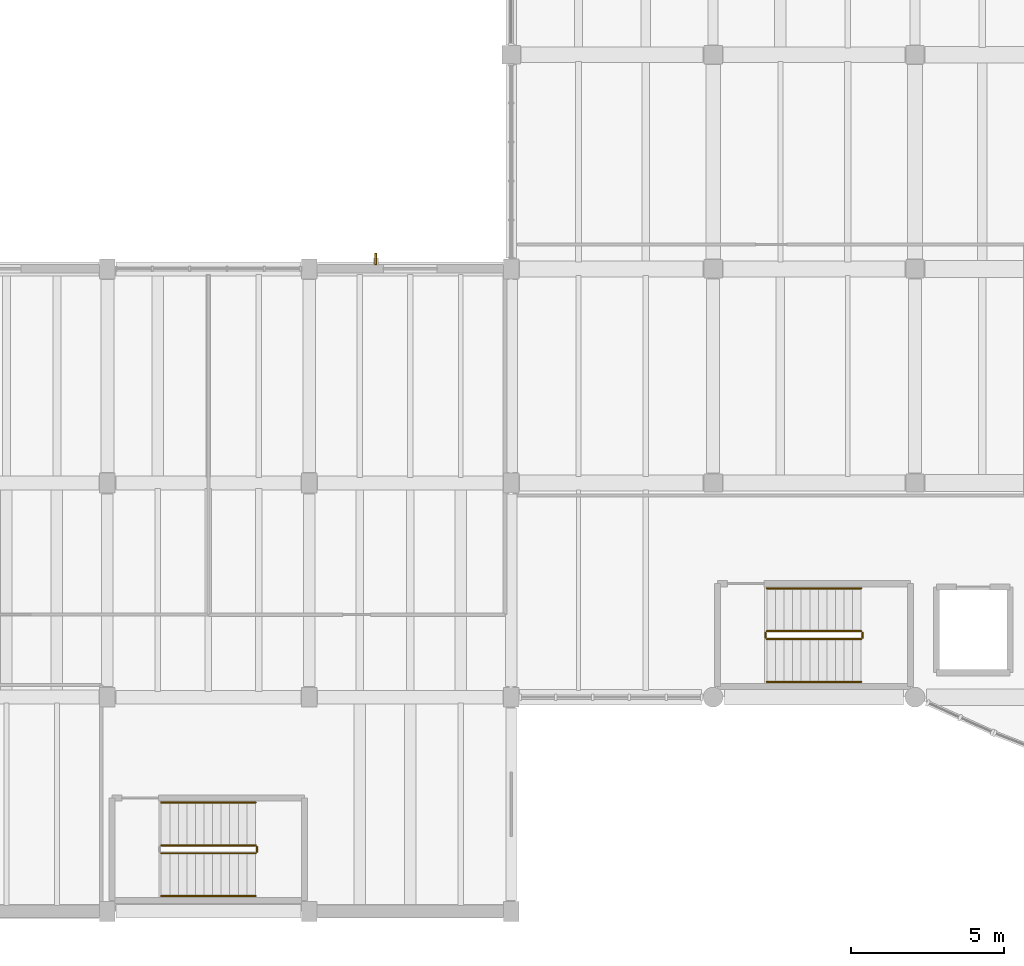
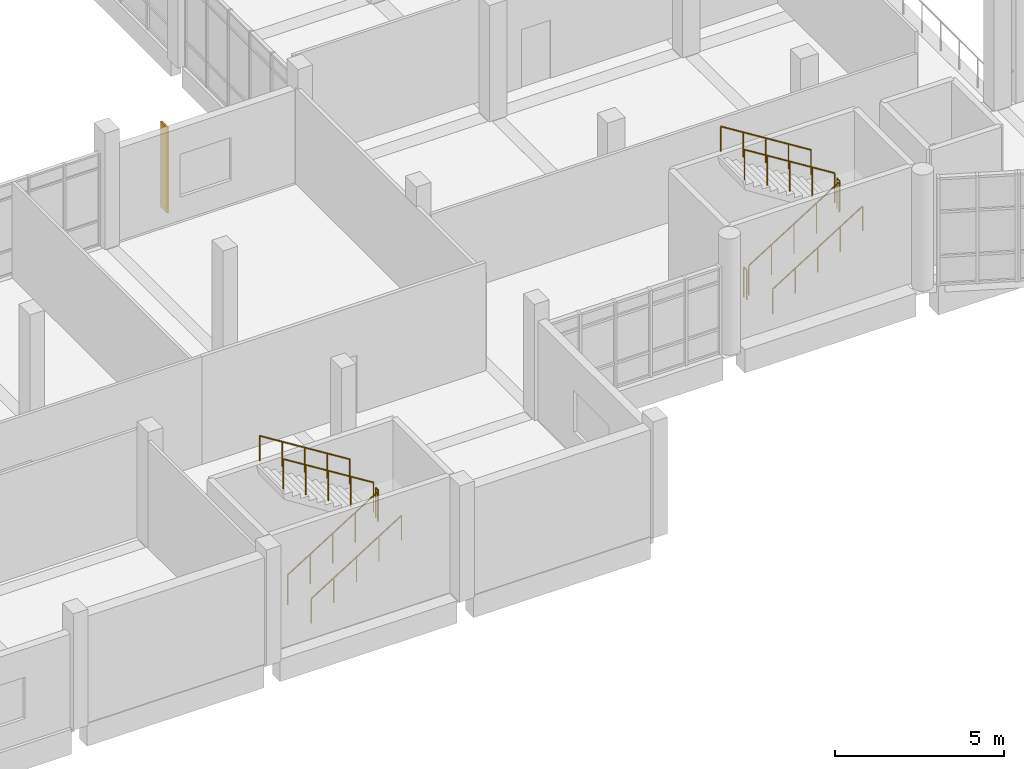
# One storey, part 60 of 67: 11 railings, 1 shading device.
"""IFC4 building model written with IfcOpenShell, lengths in metres."""

from ifc_helpers import new_model, si_unit, direction, frame, origin, origin_2d, place, context, subcontext, project, spatial, rectangle, circle, extrude, material, material_profile, profile_set, type_object, element, save


model = new_model("IFC4")

# Units and contexts
model_context = context("Model", 3, precision=1e-05, world=origin(), true_north=direction((0.0, 1.0)))
body_context = subcontext(model_context, "Body", "Model", "MODEL_VIEW")
ifc_project = project(units=[si_unit("LENGTHUNIT", "METRE"), si_unit("AREAUNIT", "SQUARE_METRE"), si_unit("VOLUMEUNIT", "CUBIC_METRE"), si_unit("PLANEANGLEUNIT", "RADIAN"), si_unit("MASSUNIT", "GRAM", prefix="KILO")], contexts=[model_context])

# Site, building, storey
site_placement = place(None, origin())
site = spatial("IfcSite", under=ifc_project, at=site_placement, CompositionType="ELEMENT")
building_placement = place(site_placement, origin())
building = spatial("IfcBuilding", under=site, at=building_placement, Name="Ciguamira Faculty of Natural Sciences", CompositionType="ELEMENT")
storey_placement = place(building_placement, frame((0.0, 0.0, 8.39990234375)))
storey = spatial("IfcBuildingStorey", under=building, at=storey_placement, Name="L02", CompositionType="ELEMENT", Elevation=8.39990234375)

# Railings
ifc_material_1 = material(Name="Stainless steel balustrade", Category="steel")
railing_type_1 = type_object("IfcRailingType", Name="Guardrail_GR01", PredefinedType="GUARDRAIL", material=ifc_material_1)
railing_1_placement = place(storey_placement, frame((59.06005859375, 11.89990234375, 0.175048828125)))
element("IfcRailing", 1, at=railing_1_placement, inside=storey, type_object=railing_type_1, Name="L02 ST-A1 stair guard 1", PredefinedType="GUARDRAIL", context=body_context, shape_type="SweptSolid", body=[
    extrude(circle(Radius=0.02392578125, at=origin_2d()), frame((0.0, 0.0, 1.076171875), z_axis=(0.847979421464, 0.0, 0.530029150871), x_axis=(0.0, 1.0, 0.0)), (0.0, 0.0, 1.0), 3.632080078125),
    extrude(circle(Radius=0.02099609375, at=origin_2d()), origin(), (0.0, 0.0, 1.0), 1.052001953125),
    extrude(circle(Radius=0.02099609375, at=origin_2d()), frame((0.77001953125, 0.0, 0.481201171875)), (0.0, 0.0, 1.0), 1.052001953125),
    extrude(circle(Radius=0.02099609375, at=origin_2d()), frame((1.5400390625, 0.0, 0.96240234375)), (0.0, 0.0, 1.0), 1.052001953125),
    extrude(circle(Radius=0.02099609375, at=origin_2d()), frame((2.309814453125, 0.0, 1.44384765625)), (0.0, 0.0, 1.0), 1.052001953125),
    extrude(circle(Radius=0.02099609375, at=origin_2d()), frame((3.079833984375, 0.0, 1.925048828125)), (0.0, 0.0, 1.0), 1.052001953125),
])
railing_2_placement = place(storey_placement, frame((62.18994140625, 11.949951171875, 2.10009765625)))
element("IfcRailing", 2, at=railing_2_placement, inside=storey, type_object=railing_type_1, Name="L02 ST-A1 stair guard 2", PredefinedType="GUARDRAIL", context=body_context, shape_type="SweptSolid", body=[
    extrude(circle(Radius=0.02392578125, at=origin_2d()), frame((0.0, 0.0, 1.076171875), z_axis=(0.0, 1.0, 0.0), x_axis=(-1.0, 0.0, 0.0)), (0.0, 0.0, 1.0), 0.16015625),
    extrude(circle(Radius=0.02099609375, at=origin_2d()), origin(), (0.0, 0.0, 1.0), 1.052001953125),
    extrude(circle(Radius=0.02099609375, at=origin_2d()), frame((0.0, 0.16015625, 0.0)), (0.0, 0.0, 1.0), 1.052001953125),
])
railing_3_placement = place(storey_placement, frame((62.139892578125, 12.159912109375, 2.275146484375)))
element("IfcRailing", 3, at=railing_3_placement, inside=storey, type_object=railing_type_1, Name="L02 ST-A1 stair guard 3", PredefinedType="GUARDRAIL", context=body_context, shape_type="SweptSolid", body=[
    extrude(circle(Radius=0.02392578125, at=origin_2d()), frame((0.0, 0.0, 1.076171875), z_axis=(-0.847979421464, 0.0, 0.530029150871), x_axis=(0.0, -1.0, 0.0)), (0.0, 0.0, 1.0), 3.632080078125),
    extrude(circle(Radius=0.02099609375, at=origin_2d()), origin(), (0.0, 0.0, 1.0), 1.052001953125),
    extrude(circle(Radius=0.02099609375, at=origin_2d()), frame((-0.77001953125, 0.0, 0.481201171875)), (0.0, 0.0, 1.0), 1.052001953125),
    extrude(circle(Radius=0.02099609375, at=origin_2d()), frame((-1.5400390625, 0.0, 0.96240234375)), (0.0, 0.0, 1.0), 1.052001953125),
    extrude(circle(Radius=0.02099609375, at=origin_2d()), frame((-2.309814453125, 0.0, 1.44384765625)), (0.0, 0.0, 1.0), 1.052001953125),
    extrude(circle(Radius=0.02099609375, at=origin_2d()), frame((-3.079833984375, 0.0, 1.925048828125)), (0.0, 0.0, 1.0), 1.052001953125),
])
railing_4_placement = place(storey_placement, frame((59.010009765625, 11.949951171875, 0.0)))
element("IfcRailing", 4, at=railing_4_placement, inside=storey, type_object=railing_type_1, Name="L02 ST-A1 stair guard 4", PredefinedType="GUARDRAIL", context=body_context, shape_type="SweptSolid", body=[
    extrude(circle(Radius=0.02392578125, at=origin_2d()), frame((0.0, 0.0, 1.076171875), z_axis=(0.0, 1.0, 0.0), x_axis=(-1.0, 0.0, 0.0)), (0.0, 0.0, 1.0), 0.16015625),
    extrude(circle(Radius=0.02099609375, at=origin_2d()), origin(), (0.0, 0.0, 1.0), 1.052001953125),
    extrude(circle(Radius=0.02099609375, at=origin_2d()), frame((0.0, 0.16015625, 0.0)), (0.0, 0.0, 1.0), 1.052001953125),
])
railing_5_placement = place(storey_placement, frame((39.260009765625, 4.89990234375, 0.175048828125)))
element("IfcRailing", 5, at=railing_5_placement, inside=storey, type_object=railing_type_1, Name="L02 ST-C2 stair guard 1", PredefinedType="GUARDRAIL", context=body_context, shape_type="SweptSolid", body=[
    extrude(circle(Radius=0.02392578125, at=origin_2d()), frame((0.0, 0.0, 1.076171875), z_axis=(0.847998304005, 0.0, 0.529998940003), x_axis=(0.0, 1.0, 0.0)), (0.0, 0.0, 1.0), 3.632080078125),
    extrude(circle(Radius=0.02099609375, at=origin_2d()), origin(), (0.0, 0.0, 1.0), 1.052001953125),
    extrude(circle(Radius=0.02099609375, at=origin_2d()), frame((0.77001953125, 0.0, 0.481201171875)), (0.0, 0.0, 1.0), 1.052001953125),
    extrude(circle(Radius=0.02099609375, at=origin_2d()), frame((1.5400390625, 0.0, 0.96240234375)), (0.0, 0.0, 1.0), 1.052001953125),
    extrude(circle(Radius=0.02099609375, at=origin_2d()), frame((2.31005859375, 0.0, 1.44384765625)), (0.0, 0.0, 1.0), 1.052001953125),
    extrude(circle(Radius=0.02099609375, at=origin_2d()), frame((3.080078125, 0.0, 1.925048828125)), (0.0, 0.0, 1.0), 1.052001953125),
])
railing_6_placement = place(storey_placement, frame((42.389892578125, 4.949951171875, 2.10009765625)))
element("IfcRailing", 6, at=railing_6_placement, inside=storey, type_object=railing_type_1, Name="L02 ST-C2 stair guard 2", PredefinedType="GUARDRAIL", context=body_context, shape_type="SweptSolid", body=[
    extrude(circle(Radius=0.02392578125, at=origin_2d()), frame((0.0, 0.0, 1.076171875), z_axis=(0.0, 1.0, 0.0), x_axis=(-1.0, 0.0, 0.0)), (0.0, 0.0, 1.0), 0.16015625),
    extrude(circle(Radius=0.02099609375, at=origin_2d()), origin(), (0.0, 0.0, 1.0), 1.052001953125),
    extrude(circle(Radius=0.02099609375, at=origin_2d()), frame((0.0, 0.16015625, 0.0)), (0.0, 0.0, 1.0), 1.052001953125),
])
railing_7_placement = place(storey_placement, frame((42.340087890625, 5.159912109375, 2.275146484375)))
element("IfcRailing", 7, at=railing_7_placement, inside=storey, type_object=railing_type_1, Name="L02 ST-C2 stair guard 3", PredefinedType="GUARDRAIL", context=body_context, shape_type="SweptSolid", body=[
    extrude(circle(Radius=0.02392578125, at=origin_2d()), frame((0.0, 0.0, 1.076171875), z_axis=(-0.847998304005, 0.0, 0.529998940003), x_axis=(0.0, -1.0, 0.0)), (0.0, 0.0, 1.0), 3.632080078125),
    extrude(circle(Radius=0.02099609375, at=origin_2d()), origin(), (0.0, 0.0, 1.0), 1.052001953125),
    extrude(circle(Radius=0.02099609375, at=origin_2d()), frame((-0.77001953125, 0.0, 0.481201171875)), (0.0, 0.0, 1.0), 1.052001953125),
    extrude(circle(Radius=0.02099609375, at=origin_2d()), frame((-1.5400390625, 0.0, 0.96240234375)), (0.0, 0.0, 1.0), 1.052001953125),
    extrude(circle(Radius=0.02099609375, at=origin_2d()), frame((-2.31005859375, 0.0, 1.44384765625)), (0.0, 0.0, 1.0), 1.052001953125),
    extrude(circle(Radius=0.02099609375, at=origin_2d()), frame((-3.080078125, 0.0, 1.925048828125)), (0.0, 0.0, 1.0), 1.052001953125),
])
ifc_material_2 = material(Name="Stainless steel handrail", Category="steel")
railing_type_2 = type_object("IfcRailingType", Name="Handrail_HR01", PredefinedType="HANDRAIL", material=ifc_material_2)
railing_8_placement = place(storey_placement, frame((59.06005859375, 10.5, 0.35009765625)))
element("IfcRailing", 8, at=railing_8_placement, inside=storey, type_object=railing_type_2, Name="L02 ST-A1 stair handrail 1", PredefinedType="HANDRAIL", context=body_context, shape_type="SweptSolid", body=[
    extrude(circle(Radius=0.02392578125, at=origin_2d()), frame((0.0, 0.0, 0.89111328125), z_axis=(0.847979421464, 0.0, 0.530029150871), x_axis=(0.0, 1.0, 0.0)), (0.0, 0.0, 1.0), 3.632080078125),
    extrude(circle(Radius=0.02099609375, at=origin_2d()), origin(), (0.0, 0.0, 1.0), 0.866943359375),
    extrude(circle(Radius=0.02099609375, at=origin_2d()), frame((0.77001953125, 0.0, 0.481201171875)), (0.0, 0.0, 1.0), 0.866943359375),
    extrude(circle(Radius=0.02099609375, at=origin_2d()), frame((1.5400390625, 0.0, 0.96240234375)), (0.0, 0.0, 1.0), 0.866943359375),
    extrude(circle(Radius=0.02099609375, at=origin_2d()), frame((2.309814453125, 0.0, 1.44384765625)), (0.0, 0.0, 1.0), 0.866943359375),
    extrude(circle(Radius=0.02099609375, at=origin_2d()), frame((3.079833984375, 0.0, 1.925048828125)), (0.0, 0.0, 1.0), 0.866943359375),
])
railing_9_placement = place(storey_placement, frame((62.139892578125, 13.56005859375, 2.4501953125)))
element("IfcRailing", 9, at=railing_9_placement, inside=storey, type_object=railing_type_2, Name="L02 ST-A1 stair handrail 2", PredefinedType="HANDRAIL", context=body_context, shape_type="SweptSolid", body=[
    extrude(circle(Radius=0.02392578125, at=origin_2d()), frame((0.0, 0.0, 0.89111328125), z_axis=(-0.848009633417, 0.0, 0.529980812513), x_axis=(0.0, -1.0, 0.0)), (0.0, 0.0, 1.0), 3.6318359375),
    extrude(circle(Radius=0.02099609375, at=origin_2d()), origin(), (0.0, 0.0, 1.0), 0.866943359375),
    extrude(circle(Radius=0.02099609375, at=origin_2d()), frame((-0.77001953125, 0.0, 0.481201171875)), (0.0, 0.0, 1.0), 0.866943359375),
    extrude(circle(Radius=0.02099609375, at=origin_2d()), frame((-1.5400390625, 0.0, 0.96240234375)), (0.0, 0.0, 1.0), 0.866943359375),
    extrude(circle(Radius=0.02099609375, at=origin_2d()), frame((-2.309814453125, 0.0, 1.443603515625)), (0.0, 0.0, 1.0), 0.866943359375),
    extrude(circle(Radius=0.02099609375, at=origin_2d()), frame((-3.079833984375, 0.0, 1.9248046875)), (0.0, 0.0, 1.0), 0.866943359375),
])
railing_10_placement = place(storey_placement, frame((39.260009765625, 3.5, 0.35009765625)))
element("IfcRailing", 10, at=railing_10_placement, inside=storey, type_object=railing_type_2, Name="L02 ST-C2 stair handrail 1", PredefinedType="HANDRAIL", context=body_context, shape_type="SweptSolid", body=[
    extrude(circle(Radius=0.02392578125, at=origin_2d()), frame((0.0, 0.0, 0.89111328125), z_axis=(0.847998304005, 0.0, 0.529998940003), x_axis=(0.0, 1.0, 0.0)), (0.0, 0.0, 1.0), 3.632080078125),
    extrude(circle(Radius=0.02099609375, at=origin_2d()), origin(), (0.0, 0.0, 1.0), 0.866943359375),
    extrude(circle(Radius=0.02099609375, at=origin_2d()), frame((0.77001953125, 0.0, 0.481201171875)), (0.0, 0.0, 1.0), 0.866943359375),
    extrude(circle(Radius=0.02099609375, at=origin_2d()), frame((1.5400390625, 0.0, 0.96240234375)), (0.0, 0.0, 1.0), 0.866943359375),
    extrude(circle(Radius=0.02099609375, at=origin_2d()), frame((2.31005859375, 0.0, 1.44384765625)), (0.0, 0.0, 1.0), 0.866943359375),
    extrude(circle(Radius=0.02099609375, at=origin_2d()), frame((3.080078125, 0.0, 1.925048828125)), (0.0, 0.0, 1.0), 0.866943359375),
])
railing_11_placement = place(storey_placement, frame((42.340087890625, 6.56005859375, 2.4501953125)))
element("IfcRailing", 11, at=railing_11_placement, inside=storey, type_object=railing_type_2, Name="L02 ST-C2 stair handrail 2", PredefinedType="HANDRAIL", context=body_context, shape_type="SweptSolid", body=[
    extrude(circle(Radius=0.02392578125, at=origin_2d()), frame((0.0, 0.0, 0.89111328125), z_axis=(-0.848028513186, 0.0, 0.529950602248), x_axis=(0.0, -1.0, 0.0)), (0.0, 0.0, 1.0), 3.632080078125),
    extrude(circle(Radius=0.02099609375, at=origin_2d()), origin(), (0.0, 0.0, 1.0), 0.866943359375),
    extrude(circle(Radius=0.02099609375, at=origin_2d()), frame((-0.77001953125, 0.0, 0.481201171875)), (0.0, 0.0, 1.0), 0.866943359375),
    extrude(circle(Radius=0.02099609375, at=origin_2d()), frame((-1.5400390625, 0.0, 0.96240234375)), (0.0, 0.0, 1.0), 0.866943359375),
    extrude(circle(Radius=0.02099609375, at=origin_2d()), frame((-2.31005859375, 0.0, 1.443603515625)), (0.0, 0.0, 1.0), 0.866943359375),
    extrude(circle(Radius=0.02099609375, at=origin_2d()), frame((-3.080078125, 0.0, 1.9248046875)), (0.0, 0.0, 1.0), 0.866943359375),
])

# Shading device
ifc_material_3 = material(Name="Anodized bronze sunshade fin")
ifc_material_profile = material_profile(ifc_material_3, rectangle(XDim=0.06494140625, YDim=0.3798828125, at=origin_2d()), Name="BRZ-FIN-65X380")
ifc_profile_set = profile_set([ifc_material_profile], Name="Anodized bronze sunshade fin")
shading_device_type = type_object("IfcShadingDeviceType", Name="SunFin_SF01", PredefinedType="USERDEFINED", material=ifc_profile_set)
shading_device_placement = place(storey_placement, frame((46.27490234375, 24.330078125, 0.2001953125), z_axis=(0.0, 0.0, 1.0), x_axis=(1.0, 0.0, 0.0)))
element("IfcShadingDevice", 12, at=shading_device_placement, inside=storey, type_object=shading_device_type, Name="L02 bronze vertical sunshade fin 0019", ObjectType="SUNSHADE FIN", PredefinedType="USERDEFINED", context=body_context, shape_type="SweptSolid", body=[
    extrude(rectangle(XDim=0.06494140625, YDim=0.3798828125, at=origin_2d()), origin(), (0.0, 0.0, 1.0), 3.094970703125),
])

save(model, "model.ifc")
